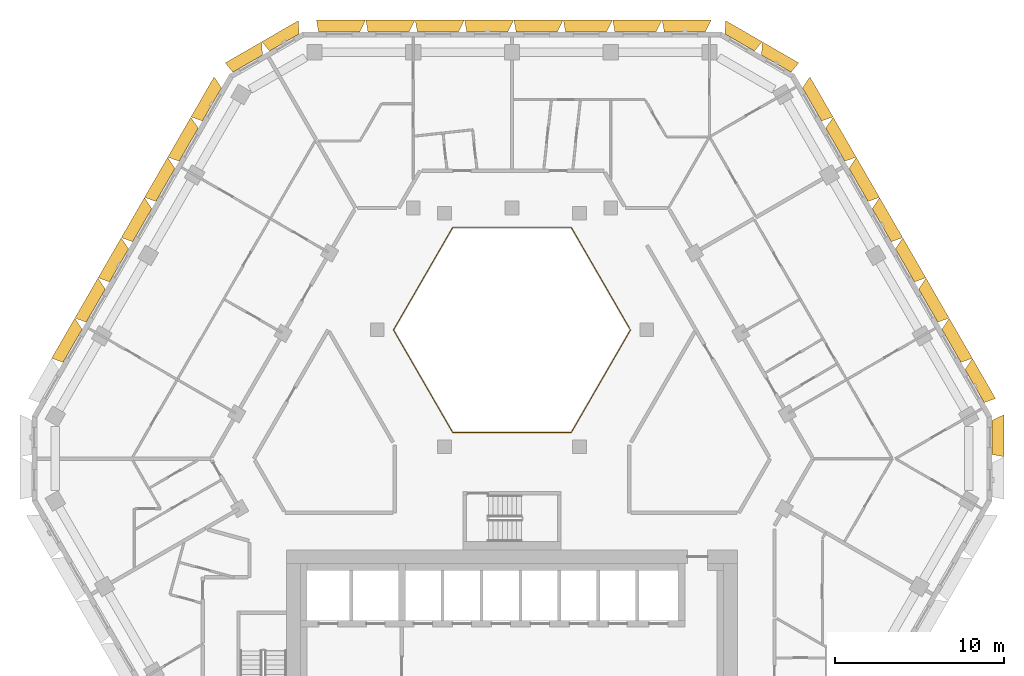
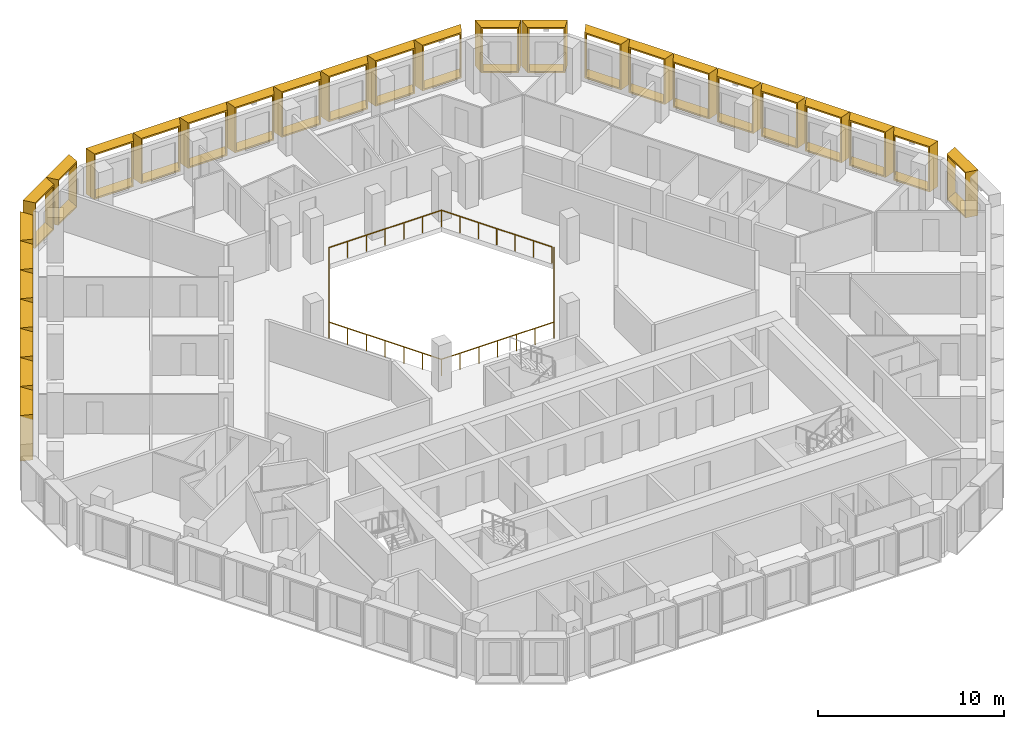
# One storey, part 17 of 17: 28 shading devices, 1 railing.
"""IFC4 building model written with IfcOpenShell, lengths in metres."""

from ifc_helpers import new_model, entity, si_unit, direction, frame, origin, origin_2d, place, context, subcontext, project, spatial, rectangle, extrude, source, transform, mapped, material, type_object, type_shapes, element, save


model = new_model("IFC4")

# Units and contexts
model_context = context("Model", 3, precision=1e-05, world=origin(), true_north=direction((0.0, 1.0)))
body_context = subcontext(model_context, "Body", "Model", "MODEL_VIEW")
ifc_project = project(units=[si_unit("LENGTHUNIT", "METRE"), si_unit("AREAUNIT", "SQUARE_METRE"), si_unit("VOLUMEUNIT", "CUBIC_METRE"), si_unit("PLANEANGLEUNIT", "RADIAN"), si_unit("MASSUNIT", "GRAM", prefix="KILO")], contexts=[model_context])

# Site, building, storey
site_placement = place(None, origin())
site = spatial("IfcSite", under=ifc_project, at=site_placement, CompositionType="ELEMENT")
building_placement = place(site_placement, origin())
building = spatial("IfcBuilding", under=site, at=building_placement, Name="Beryl Residences", CompositionType="ELEMENT")
storey_placement = place(building_placement, frame((0.0, 0.0, 150.60009765625)))
storey = spatial("IfcBuildingStorey", under=building, at=storey_placement, Name="L46", CompositionType="ELEMENT", Elevation=150.60009765625)

# Railing
ifc_material_1 = material(Name="Stainless steel balustrade with glass infill", Category="steel")
railing_type = type_object("IfcRailingType", Name="EG1 edge guard 1100 mm", PredefinedType="GUARDRAIL", material=ifc_material_1)
railing_placement = place(storey_placement, frame((6.9970703125, 8.0, 0.0)))
element("IfcRailing", 1, at=railing_placement, inside=storey, type_object=railing_type, Name="L46 atrium guard", PredefinedType="GUARDRAIL", context=body_context, shape_type="SweptSolid", body=[
    extrude(rectangle(XDim=0.048095703125, YDim=0.048095703125, at=origin_2d()), frame((0.0, 0.0, 1.076171875), z_axis=(-0.499921796684, -0.866070549782, 0.0), x_axis=(0.866070549782, -0.499921796684, 0.0)), (0.0, 0.0, 1.0), 6.9970703125),
    extrude(rectangle(XDim=0.048095703125, YDim=0.048095703125, at=origin_2d()), frame((-3.498046875, -6.06005859375, 1.076171875), z_axis=(-1.0, 0.0, 0.0), x_axis=(0.0, -1.0, 0.0)), (0.0, 0.0, 1.0), 6.998046875),
    extrude(rectangle(XDim=0.048095703125, YDim=0.048095703125, at=origin_2d()), frame((-10.49609375, -6.06005859375, 1.076171875), z_axis=(-0.499921796684, 0.866070549782, 0.0), x_axis=(-0.866070549782, -0.499921796684, 0.0)), (0.0, 0.0, 1.0), 6.9970703125),
    extrude(rectangle(XDim=0.048095703125, YDim=0.048095703125, at=origin_2d()), frame((-13.994140625, 0.0, 1.076171875), z_axis=(0.499921796684, 0.866070549782, 0.0), x_axis=(-0.866070549782, 0.499921796684, 0.0)), (0.0, 0.0, 1.0), 6.9970703125),
    extrude(rectangle(XDim=0.048095703125, YDim=0.048095703125, at=origin_2d()), frame((-10.49609375, 6.06005859375, 1.076171875), z_axis=(1.0, 0.0, 0.0), x_axis=(0.0, 1.0, 0.0)), (0.0, 0.0, 1.0), 6.998046875),
    extrude(rectangle(XDim=0.048095703125, YDim=0.048095703125, at=origin_2d()), frame((-3.498046875, 6.06005859375, 1.076171875), z_axis=(0.499919131929, -0.866072087953, 0.0), x_axis=(0.866072087953, 0.499919131929, 0.0)), (0.0, 0.0, 1.0), 6.877197265625),
    extrude(rectangle(XDim=0.0419921875, YDim=0.0419921875, at=origin_2d()), origin(), (0.0, 0.0, 1.0), 1.052001953125),
    extrude(rectangle(XDim=0.0419921875, YDim=0.0419921875, at=origin_2d()), frame((-0.5830078125, -1.010009765625, 0.0)), (0.0, 0.0, 1.0), 1.052001953125),
    extrude(rectangle(XDim=0.0419921875, YDim=0.0419921875, at=origin_2d()), frame((-1.166015625, -2.02001953125, 0.0)), (0.0, 0.0, 1.0), 1.052001953125),
    extrude(rectangle(XDim=0.0419921875, YDim=0.0419921875, at=origin_2d()), frame((-1.7490234375, -3.030029296875, 0.0)), (0.0, 0.0, 1.0), 1.052001953125),
    extrude(rectangle(XDim=0.0419921875, YDim=0.0419921875, at=origin_2d()), frame((-2.33203125, -4.0400390625, 0.0)), (0.0, 0.0, 1.0), 1.052001953125),
    extrude(rectangle(XDim=0.0419921875, YDim=0.0419921875, at=origin_2d()), frame((-2.9150390625, -5.050048828125, 0.0)), (0.0, 0.0, 1.0), 1.052001953125),
    extrude(rectangle(XDim=0.0419921875, YDim=0.0419921875, at=origin_2d()), frame((-3.498046875, -6.06005859375, 0.0)), (0.0, 0.0, 1.0), 1.052001953125),
    extrude(rectangle(XDim=0.0419921875, YDim=0.0419921875, at=origin_2d()), frame((-4.664306640625, -6.06005859375, 0.0)), (0.0, 0.0, 1.0), 1.052001953125),
    extrude(rectangle(XDim=0.0419921875, YDim=0.0419921875, at=origin_2d()), frame((-5.830810546875, -6.06005859375, 0.0)), (0.0, 0.0, 1.0), 1.052001953125),
    extrude(rectangle(XDim=0.0419921875, YDim=0.0419921875, at=origin_2d()), frame((-6.9970703125, -6.06005859375, 0.0)), (0.0, 0.0, 1.0), 1.052001953125),
    extrude(rectangle(XDim=0.0419921875, YDim=0.0419921875, at=origin_2d()), frame((-8.163330078125, -6.06005859375, 0.0)), (0.0, 0.0, 1.0), 1.052001953125),
    extrude(rectangle(XDim=0.0419921875, YDim=0.0419921875, at=origin_2d()), frame((-9.329833984375, -6.06005859375, 0.0)), (0.0, 0.0, 1.0), 1.052001953125),
    extrude(rectangle(XDim=0.0419921875, YDim=0.0419921875, at=origin_2d()), frame((-10.49609375, -6.06005859375, 0.0)), (0.0, 0.0, 1.0), 1.052001953125),
    extrude(rectangle(XDim=0.0419921875, YDim=0.0419921875, at=origin_2d()), frame((-11.0791015625, -5.050048828125, 0.0)), (0.0, 0.0, 1.0), 1.052001953125),
    extrude(rectangle(XDim=0.0419921875, YDim=0.0419921875, at=origin_2d()), frame((-11.662109375, -4.0400390625, 0.0)), (0.0, 0.0, 1.0), 1.052001953125),
    extrude(rectangle(XDim=0.0419921875, YDim=0.0419921875, at=origin_2d()), frame((-12.2451171875, -3.030029296875, 0.0)), (0.0, 0.0, 1.0), 1.052001953125),
    extrude(rectangle(XDim=0.0419921875, YDim=0.0419921875, at=origin_2d()), frame((-12.828125, -2.02001953125, 0.0)), (0.0, 0.0, 1.0), 1.052001953125),
    extrude(rectangle(XDim=0.0419921875, YDim=0.0419921875, at=origin_2d()), frame((-13.4111328125, -1.010009765625, 0.0)), (0.0, 0.0, 1.0), 1.052001953125),
    extrude(rectangle(XDim=0.0419921875, YDim=0.0419921875, at=origin_2d()), frame((-13.994140625, 0.0, 0.0)), (0.0, 0.0, 1.0), 1.052001953125),
    extrude(rectangle(XDim=0.0419921875, YDim=0.0419921875, at=origin_2d()), frame((-13.4111328125, 1.010009765625, 0.0)), (0.0, 0.0, 1.0), 1.052001953125),
    extrude(rectangle(XDim=0.0419921875, YDim=0.0419921875, at=origin_2d()), frame((-12.828125, 2.02001953125, 0.0)), (0.0, 0.0, 1.0), 1.052001953125),
    extrude(rectangle(XDim=0.0419921875, YDim=0.0419921875, at=origin_2d()), frame((-12.2451171875, 3.030029296875, 0.0)), (0.0, 0.0, 1.0), 1.052001953125),
    extrude(rectangle(XDim=0.0419921875, YDim=0.0419921875, at=origin_2d()), frame((-11.662109375, 4.0400390625, 0.0)), (0.0, 0.0, 1.0), 1.052001953125),
    extrude(rectangle(XDim=0.0419921875, YDim=0.0419921875, at=origin_2d()), frame((-11.0791015625, 5.050048828125, 0.0)), (0.0, 0.0, 1.0), 1.052001953125),
    extrude(rectangle(XDim=0.0419921875, YDim=0.0419921875, at=origin_2d()), frame((-10.49609375, 6.06005859375, 0.0)), (0.0, 0.0, 1.0), 1.052001953125),
    extrude(rectangle(XDim=0.0419921875, YDim=0.0419921875, at=origin_2d()), frame((-9.329833984375, 6.06005859375, 0.0)), (0.0, 0.0, 1.0), 1.052001953125),
    extrude(rectangle(XDim=0.0419921875, YDim=0.0419921875, at=origin_2d()), frame((-8.163330078125, 6.06005859375, 0.0)), (0.0, 0.0, 1.0), 1.052001953125),
    extrude(rectangle(XDim=0.0419921875, YDim=0.0419921875, at=origin_2d()), frame((-6.9970703125, 6.06005859375, 0.0)), (0.0, 0.0, 1.0), 1.052001953125),
    extrude(rectangle(XDim=0.0419921875, YDim=0.0419921875, at=origin_2d()), frame((-5.830810546875, 6.06005859375, 0.0)), (0.0, 0.0, 1.0), 1.052001953125),
    extrude(rectangle(XDim=0.0419921875, YDim=0.0419921875, at=origin_2d()), frame((-4.664306640625, 6.06005859375, 0.0)), (0.0, 0.0, 1.0), 1.052001953125),
    extrude(rectangle(XDim=0.0419921875, YDim=0.0419921875, at=origin_2d()), frame((-3.498046875, 6.06005859375, 0.0)), (0.0, 0.0, 1.0), 1.052001953125),
    extrude(rectangle(XDim=0.0419921875, YDim=0.0419921875, at=origin_2d()), frame((-2.925048828125, 5.0673828125, 0.0)), (0.0, 0.0, 1.0), 1.052001953125),
    extrude(rectangle(XDim=0.0419921875, YDim=0.0419921875, at=origin_2d()), frame((-2.35205078125, 4.07470703125, 0.0)), (0.0, 0.0, 1.0), 1.052001953125),
    extrude(rectangle(XDim=0.0419921875, YDim=0.0419921875, at=origin_2d()), frame((-1.779052734375, 3.08203125, 0.0)), (0.0, 0.0, 1.0), 1.052001953125),
    extrude(rectangle(XDim=0.0419921875, YDim=0.0419921875, at=origin_2d()), frame((-1.2060546875, 2.08935546875, 0.0)), (0.0, 0.0, 1.0), 1.052001953125),
    extrude(rectangle(XDim=0.0419921875, YDim=0.0419921875, at=origin_2d()), frame((-0.633056640625, 1.0966796875, 0.0)), (0.0, 0.0, 1.0), 1.052001953125),
    extrude(rectangle(XDim=0.0419921875, YDim=0.0419921875, at=origin_2d()), frame((-0.06005859375, 0.10400390625, 0.0)), (0.0, 0.0, 1.0), 1.052001953125),
])

# Shading devices
ifc_material_2 = material(Name="Aluminium pale anodised", Category="aluminium")
shading_device_type_1 = type_object("IfcShadingDeviceType", Name="FR250-70B OUTER SKIN frame 700 mm deep, splay 26/10 deg, 2500 x 3000 mm cell", PredefinedType="USERDEFINED", material=ifc_material_2)
cartesian_point_1 = entity("IfcCartesianPoint", [-1.007568359375, 0.0])
cartesian_point_2 = entity("IfcCartesianPoint", [-0.91845703125, 0.10009765625])
cartesian_point_3 = entity("IfcCartesianPoint", [-1.348876953125, 0.0])
cartesian_point_4 = entity("IfcCartesianPoint", [-1.260009765625, 0.10009765625])
shared_shape_1 = source(origin(), body_context, "Body", "SweptSolid", [
    entity("IfcExtrudedAreaSolidTapered", entity("IfcArbitraryProfileDefWithVoids", "AREA", None, entity("IfcPolyline", [cartesian_point_1, entity("IfcCartesianPoint", [1.007568359375, 0.0]), entity("IfcCartesianPoint", [1.007568359375, 3.0]), entity("IfcCartesianPoint", [-1.007568359375, 3.0]), cartesian_point_1]), [entity("IfcPolyline", [cartesian_point_2, entity("IfcCartesianPoint", [0.92626953125, 0.10009765625]), entity("IfcCartesianPoint", [0.92626953125, 2.89990234375]), entity("IfcCartesianPoint", [-0.91845703125, 2.89990234375]), cartesian_point_2])]), entity("IfcAxis2Placement3D", entity("IfcCartesianPoint", [0.0, 0.0, 0.0]), entity("IfcDirection", [0.0, 1.0, 0.0]), entity("IfcDirection", [-1.0, 0.0, 0.0])), entity("IfcDirection", [0.0, 0.0, 1.0]), 0.699951171875, entity("IfcArbitraryProfileDefWithVoids", "AREA", None, entity("IfcPolyline", [cartesian_point_3, entity("IfcCartesianPoint", [1.130859375, 0.0]), entity("IfcCartesianPoint", [1.130859375, 3.0]), entity("IfcCartesianPoint", [-1.348876953125, 3.0]), cartesian_point_3]), [entity("IfcPolyline", [cartesian_point_4, entity("IfcCartesianPoint", [1.0498046875, 0.10009765625]), entity("IfcCartesianPoint", [1.0498046875, 2.89990234375]), entity("IfcCartesianPoint", [-1.260009765625, 2.89990234375]), cartesian_point_4])])),
])
type_shapes(shading_device_type_1, [shared_shape_1])
for number, where, z_axis, x_axis, name in (
    (2, (-13.43798828125, 24.97509765625, 0.0), (0.0, 0.0, 1.0), (0.866025403784, 0.5, 0.0), "FR250-70B frame L46 N-NW 1"),
    (3, (-15.60205078125, 23.72509765625, 0.0), (0.0, 0.0, 1.0), (0.866025403784, 0.5, 0.0), "FR250-70B frame L46 N-NW 2"),
):
    element("IfcShadingDevice", number, at=place(storey_placement, frame(where, z_axis=z_axis, x_axis=x_axis)), inside=storey, type_object=shading_device_type_1, Name=name, ObjectType="OUTER SKIN", PredefinedType="USERDEFINED", context=body_context, shape_type="MappedRepresentation", body=[
        mapped(shared_shape_1, transform((0.0, 0.0, 0.0))),
    ])
ifc_material_3 = material(Name="Aluminium pale anodised", Category="aluminium")
shading_device_type_2 = type_object("IfcShadingDeviceType", Name="FR250-70C OUTER SKIN frame 700 mm deep, splay 10/26 deg, 2500 x 3000 mm cell", PredefinedType="USERDEFINED", material=ifc_material_3)
cartesian_point_5 = entity("IfcCartesianPoint", [-1.007568359375, 0.0])
cartesian_point_6 = entity("IfcCartesianPoint", [-0.92626953125, 0.10009765625])
cartesian_point_7 = entity("IfcCartesianPoint", [-1.130859375, 0.0])
cartesian_point_8 = entity("IfcCartesianPoint", [-1.0498046875, 0.10009765625])
shared_shape_2 = source(origin(), body_context, "Body", "SweptSolid", [
    entity("IfcExtrudedAreaSolidTapered", entity("IfcArbitraryProfileDefWithVoids", "AREA", None, entity("IfcPolyline", [cartesian_point_5, entity("IfcCartesianPoint", [1.007568359375, 0.0]), entity("IfcCartesianPoint", [1.007568359375, 3.0]), entity("IfcCartesianPoint", [-1.007568359375, 3.0]), cartesian_point_5]), [entity("IfcPolyline", [cartesian_point_6, entity("IfcCartesianPoint", [0.91845703125, 0.10009765625]), entity("IfcCartesianPoint", [0.91845703125, 2.89990234375]), entity("IfcCartesianPoint", [-0.92626953125, 2.89990234375]), cartesian_point_6])]), entity("IfcAxis2Placement3D", entity("IfcCartesianPoint", [0.0, 0.0, 0.0]), entity("IfcDirection", [0.0, 1.0, 0.0]), entity("IfcDirection", [-1.0, 0.0, 0.0])), entity("IfcDirection", [0.0, 0.0, 1.0]), 0.699951171875, entity("IfcArbitraryProfileDefWithVoids", "AREA", None, entity("IfcPolyline", [cartesian_point_7, entity("IfcCartesianPoint", [1.348876953125, 0.0]), entity("IfcCartesianPoint", [1.348876953125, 3.0]), entity("IfcCartesianPoint", [-1.130859375, 3.0]), cartesian_point_7]), [entity("IfcPolyline", [cartesian_point_8, entity("IfcCartesianPoint", [1.260009765625, 0.10009765625]), entity("IfcCartesianPoint", [1.260009765625, 2.89990234375]), entity("IfcCartesianPoint", [-1.0498046875, 2.89990234375]), cartesian_point_8])])),
])
type_shapes(shading_device_type_2, [shared_shape_2])
for number, where, z_axis, x_axis, name in (
    (4, (28.347900390625, 1.64990234375, 0.0), (0.0, 0.0, 1.0), (0.0, -1.0, 0.0), "FR250-70C frame L46 SE-NE 2"),
    (5, (15.60205078125, 23.72509765625, 0.0), (0.0, 0.0, 1.0), (0.866025403784, -0.5, 0.0), "FR250-70C frame L46 NE-N 1"),
    (6, (13.43798828125, 24.97509765625, 0.0), (0.0, 0.0, 1.0), (0.866025403784, -0.5, 0.0), "FR250-70C frame L46 NE-N 2"),
):
    element("IfcShadingDevice", number, at=place(storey_placement, frame(where, z_axis=z_axis, x_axis=x_axis)), inside=storey, type_object=shading_device_type_2, Name=name, ObjectType="OUTER SKIN", PredefinedType="USERDEFINED", context=body_context, shape_type="MappedRepresentation", body=[
        mapped(shared_shape_2, transform((0.0, 0.0, 0.0))),
    ])
ifc_material_4 = material(Name="Aluminium pale anodised", Category="aluminium")
shading_device_type_3 = type_object("IfcShadingDeviceType", Name="FR274-70B OUTER SKIN frame 700 mm deep, splay 26/10 deg, 2740 x 3000 mm cell", PredefinedType="USERDEFINED", material=ifc_material_4)
cartesian_point_9 = entity("IfcCartesianPoint", [-1.12744140625, 0.0])
cartesian_point_10 = entity("IfcCartesianPoint", [-1.03857421875, 0.10009765625])
cartesian_point_11 = entity("IfcCartesianPoint", [-1.468994140625, 0.0])
cartesian_point_12 = entity("IfcCartesianPoint", [-1.3798828125, 0.10009765625])
shared_shape_3 = source(origin(), body_context, "Body", "SweptSolid", [
    entity("IfcExtrudedAreaSolidTapered", entity("IfcArbitraryProfileDefWithVoids", "AREA", None, entity("IfcPolyline", [cartesian_point_9, entity("IfcCartesianPoint", [1.12744140625, 0.0]), entity("IfcCartesianPoint", [1.12744140625, 3.0]), entity("IfcCartesianPoint", [-1.12744140625, 3.0]), cartesian_point_9]), [entity("IfcPolyline", [cartesian_point_10, entity("IfcCartesianPoint", [1.04638671875, 0.10009765625]), entity("IfcCartesianPoint", [1.04638671875, 2.89990234375]), entity("IfcCartesianPoint", [-1.03857421875, 2.89990234375]), cartesian_point_10])]), entity("IfcAxis2Placement3D", entity("IfcCartesianPoint", [0.0, 0.0, 0.0]), entity("IfcDirection", [0.0, 1.0, 0.0]), entity("IfcDirection", [-1.0, 0.0, 0.0])), entity("IfcDirection", [0.0, 0.0, 1.0]), 0.699951171875, entity("IfcArbitraryProfileDefWithVoids", "AREA", None, entity("IfcPolyline", [cartesian_point_11, entity("IfcCartesianPoint", [1.2509765625, 0.0]), entity("IfcCartesianPoint", [1.2509765625, 3.0]), entity("IfcCartesianPoint", [-1.468994140625, 3.0]), cartesian_point_11]), [entity("IfcPolyline", [cartesian_point_12, entity("IfcCartesianPoint", [1.169677734375, 0.10009765625]), entity("IfcCartesianPoint", [1.169677734375, 2.89990234375]), entity("IfcCartesianPoint", [-1.3798828125, 2.89990234375]), cartesian_point_12])])),
])
type_shapes(shading_device_type_3, [shared_shape_3])
for number, where, z_axis, x_axis, name in (
    (7, (-17.718017578125, 21.31298828125, 0.0), (0.0, 0.0, 1.0), (0.5, 0.866025403784, 0.0), "FR274-70B frame L46 NW 1"),
    (8, (-19.089111328125, 18.93798828125, 0.0), (0.0, 0.0, 1.0), (0.5, 0.866025403784, 0.0), "FR274-70B frame L46 NW 2"),
    (9, (-20.4599609375, 16.56298828125, 0.0), (0.0, 0.0, 1.0), (0.5, 0.866025403784, 0.0), "FR274-70B frame L46 NW 3"),
    (10, (-21.8310546875, 14.18798828125, 0.0), (0.0, 0.0, 1.0), (0.5, 0.866025403784, 0.0), "FR274-70B frame L46 NW 4"),
    (11, (-23.202880859375, 11.81201171875, 0.0), (0.0, 0.0, 1.0), (0.5, 0.866025403784, 0.0), "FR274-70B frame L46 NW 5"),
    (12, (-24.573974609375, 9.43701171875, 0.0), (0.0, 0.0, 1.0), (0.5, 0.866025403784, 0.0), "FR274-70B frame L46 NW 6"),
    (13, (-25.945068359375, 7.06201171875, 0.0), (0.0, 0.0, 1.0), (0.5, 0.866025403784, 0.0), "FR274-70B frame L46 NW 7"),
):
    element("IfcShadingDevice", number, at=place(storey_placement, frame(where, z_axis=z_axis, x_axis=x_axis)), inside=storey, type_object=shading_device_type_3, Name=name, ObjectType="OUTER SKIN", PredefinedType="USERDEFINED", context=body_context, shape_type="MappedRepresentation", body=[
        mapped(shared_shape_3, transform((0.0, 0.0, 0.0))),
    ])
ifc_material_5 = material(Name="Aluminium pale anodised", Category="aluminium")
shading_device_type_4 = type_object("IfcShadingDeviceType", Name="FR274-70C OUTER SKIN frame 700 mm deep, splay 10/26 deg, 2740 x 3000 mm cell", PredefinedType="USERDEFINED", material=ifc_material_5)
cartesian_point_13 = entity("IfcCartesianPoint", [-1.12744140625, 0.0])
cartesian_point_14 = entity("IfcCartesianPoint", [-1.04638671875, 0.10009765625])
cartesian_point_15 = entity("IfcCartesianPoint", [-1.2509765625, 0.0])
cartesian_point_16 = entity("IfcCartesianPoint", [-1.169677734375, 0.10009765625])
shared_shape_4 = source(origin(), body_context, "Body", "SweptSolid", [
    entity("IfcExtrudedAreaSolidTapered", entity("IfcArbitraryProfileDefWithVoids", "AREA", None, entity("IfcPolyline", [cartesian_point_13, entity("IfcCartesianPoint", [1.12744140625, 0.0]), entity("IfcCartesianPoint", [1.12744140625, 3.0]), entity("IfcCartesianPoint", [-1.12744140625, 3.0]), cartesian_point_13]), [entity("IfcPolyline", [cartesian_point_14, entity("IfcCartesianPoint", [1.03857421875, 0.10009765625]), entity("IfcCartesianPoint", [1.03857421875, 2.89990234375]), entity("IfcCartesianPoint", [-1.04638671875, 2.89990234375]), cartesian_point_14])]), entity("IfcAxis2Placement3D", entity("IfcCartesianPoint", [0.0, 0.0, 0.0]), entity("IfcDirection", [0.0, 1.0, 0.0]), entity("IfcDirection", [-1.0, 0.0, 0.0])), entity("IfcDirection", [0.0, 0.0, 1.0]), 0.699951171875, entity("IfcArbitraryProfileDefWithVoids", "AREA", None, entity("IfcPolyline", [cartesian_point_15, entity("IfcCartesianPoint", [1.468994140625, 0.0]), entity("IfcCartesianPoint", [1.468994140625, 3.0]), entity("IfcCartesianPoint", [-1.2509765625, 3.0]), cartesian_point_15]), [entity("IfcPolyline", [cartesian_point_16, entity("IfcCartesianPoint", [1.3798828125, 0.10009765625]), entity("IfcCartesianPoint", [1.3798828125, 2.89990234375]), entity("IfcCartesianPoint", [-1.169677734375, 2.89990234375]), cartesian_point_16])])),
])
type_shapes(shading_device_type_4, [shared_shape_4])
for number, where, z_axis, x_axis, name in (
    (14, (27.31591796875, 4.68701171875, 0.0), (0.0, 0.0, 1.0), (0.5, -0.866025403784, 0.0), "FR274-70C frame L46 NE 1"),
    (15, (25.945068359375, 7.06201171875, 0.0), (0.0, 0.0, 1.0), (0.5, -0.866025403784, 0.0), "FR274-70C frame L46 NE 2"),
    (16, (24.573974609375, 9.43701171875, 0.0), (0.0, 0.0, 1.0), (0.5, -0.866025403784, 0.0), "FR274-70C frame L46 NE 3"),
    (17, (23.202880859375, 11.81201171875, 0.0), (0.0, 0.0, 1.0), (0.5, -0.866025403784, 0.0), "FR274-70C frame L46 NE 4"),
    (18, (21.8310546875, 14.18798828125, 0.0), (0.0, 0.0, 1.0), (0.5, -0.866025403784, 0.0), "FR274-70C frame L46 NE 5"),
    (19, (20.4599609375, 16.56298828125, 0.0), (0.0, 0.0, 1.0), (0.5, -0.866025403784, 0.0), "FR274-70C frame L46 NE 6"),
    (20, (19.089111328125, 18.93798828125, 0.0), (0.0, 0.0, 1.0), (0.5, -0.866025403784, 0.0), "FR274-70C frame L46 NE 7"),
    (21, (17.718017578125, 21.31298828125, 0.0), (0.0, 0.0, 1.0), (0.5, -0.866025403784, 0.0), "FR274-70C frame L46 NE 8"),
):
    element("IfcShadingDevice", number, at=place(storey_placement, frame(where, z_axis=z_axis, x_axis=x_axis)), inside=storey, type_object=shading_device_type_4, Name=name, ObjectType="OUTER SKIN", PredefinedType="USERDEFINED", context=body_context, shape_type="MappedRepresentation", body=[
        mapped(shared_shape_4, transform((0.0, 0.0, 0.0))),
    ])
ifc_material_6 = material(Name="Aluminium pale anodised", Category="aluminium")
shading_device_type_5 = type_object("IfcShadingDeviceType", Name="FR292-70B OUTER SKIN frame 700 mm deep, splay 26/10 deg, 2920 x 3000 mm cell", PredefinedType="USERDEFINED", material=ifc_material_6)
cartesian_point_17 = entity("IfcCartesianPoint", [-1.217529296875, 0.0])
cartesian_point_18 = entity("IfcCartesianPoint", [-1.12841796875, 0.10009765625])
cartesian_point_19 = entity("IfcCartesianPoint", [-1.558837890625, 0.0])
cartesian_point_20 = entity("IfcCartesianPoint", [-1.469970703125, 0.10009765625])
shared_shape_5 = source(origin(), body_context, "Body", "SweptSolid", [
    entity("IfcExtrudedAreaSolidTapered", entity("IfcArbitraryProfileDefWithVoids", "AREA", None, entity("IfcPolyline", [cartesian_point_17, entity("IfcCartesianPoint", [1.217529296875, 0.0]), entity("IfcCartesianPoint", [1.217529296875, 3.0]), entity("IfcCartesianPoint", [-1.217529296875, 3.0]), cartesian_point_17]), [entity("IfcPolyline", [cartesian_point_18, entity("IfcCartesianPoint", [1.13623046875, 0.10009765625]), entity("IfcCartesianPoint", [1.13623046875, 2.89990234375]), entity("IfcCartesianPoint", [-1.12841796875, 2.89990234375]), cartesian_point_18])]), entity("IfcAxis2Placement3D", entity("IfcCartesianPoint", [0.0, 0.0, 0.0]), entity("IfcDirection", [0.0, 1.0, 0.0]), entity("IfcDirection", [-1.0, 0.0, 0.0])), entity("IfcDirection", [0.0, 0.0, 1.0]), 0.699951171875, entity("IfcArbitraryProfileDefWithVoids", "AREA", None, entity("IfcPolyline", [cartesian_point_19, entity("IfcCartesianPoint", [1.3408203125, 0.0]), entity("IfcCartesianPoint", [1.3408203125, 3.0]), entity("IfcCartesianPoint", [-1.558837890625, 3.0]), cartesian_point_19]), [entity("IfcPolyline", [cartesian_point_20, entity("IfcCartesianPoint", [1.259765625, 0.10009765625]), entity("IfcCartesianPoint", [1.259765625, 2.89990234375]), entity("IfcCartesianPoint", [-1.469970703125, 2.89990234375]), cartesian_point_20])])),
])
type_shapes(shading_device_type_5, [shared_shape_5])
for number, where, z_axis, x_axis, name in (
    (22, (10.2041015625, 25.60009765625, 0.0), (0.0, 0.0, 1.0), (1.0, 0.0, 0.0), "FR292-70B frame L46 N 1"),
    (23, (7.2890625, 25.60009765625, 0.0), (0.0, 0.0, 1.0), (1.0, 0.0, 0.0), "FR292-70B frame L46 N 2"),
    (24, (4.373046875, 25.60009765625, 0.0), (0.0, 0.0, 1.0), (1.0, 0.0, 0.0), "FR292-70B frame L46 N 3"),
    (25, (1.4580078125, 25.60009765625, 0.0), (0.0, 0.0, 1.0), (1.0, 0.0, 0.0), "FR292-70B frame L46 N 4"),
    (26, (-1.4580078125, 25.60009765625, 0.0), (0.0, 0.0, 1.0), (1.0, 0.0, 0.0), "FR292-70B frame L46 N 5"),
    (27, (-4.373046875, 25.60009765625, 0.0), (0.0, 0.0, 1.0), (1.0, 0.0, 0.0), "FR292-70B frame L46 N 6"),
    (28, (-7.2890625, 25.60009765625, 0.0), (0.0, 0.0, 1.0), (1.0, 0.0, 0.0), "FR292-70B frame L46 N 7"),
    (29, (-10.2041015625, 25.60009765625, 0.0), (0.0, 0.0, 1.0), (1.0, 0.0, 0.0), "FR292-70B frame L46 N 8"),
):
    element("IfcShadingDevice", number, at=place(storey_placement, frame(where, z_axis=z_axis, x_axis=x_axis)), inside=storey, type_object=shading_device_type_5, Name=name, ObjectType="OUTER SKIN", PredefinedType="USERDEFINED", context=body_context, shape_type="MappedRepresentation", body=[
        mapped(shared_shape_5, transform((0.0, 0.0, 0.0))),
    ])

save(model, "model.ifc")
